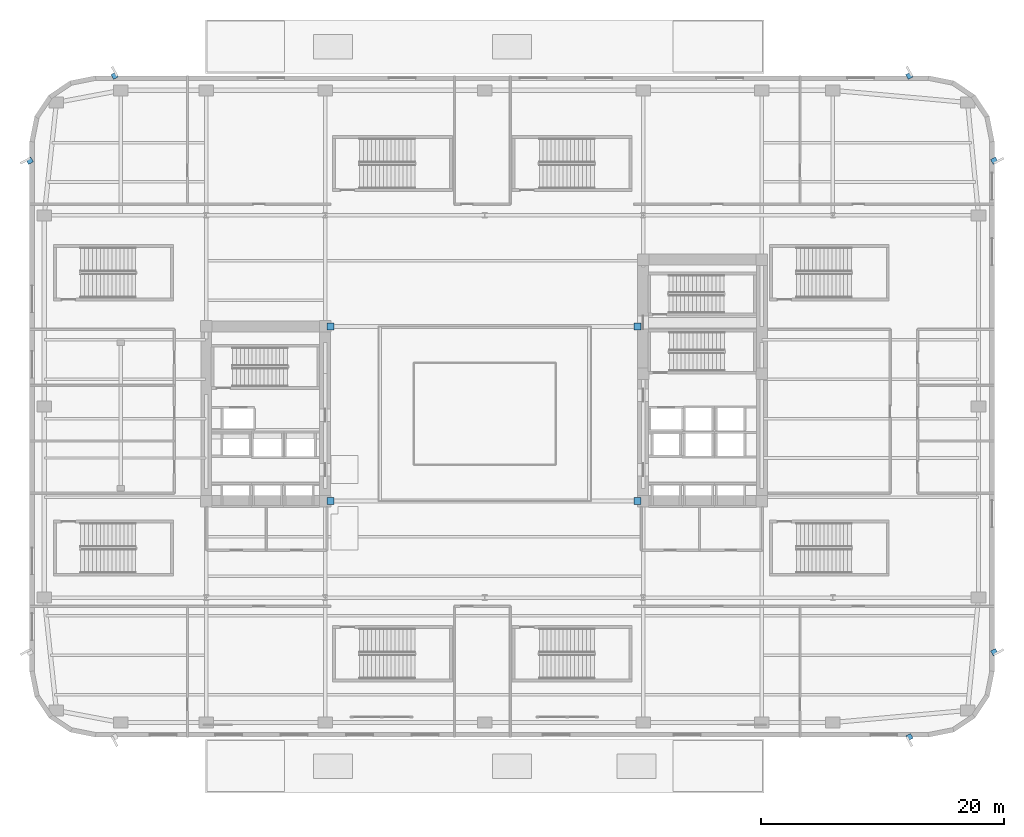
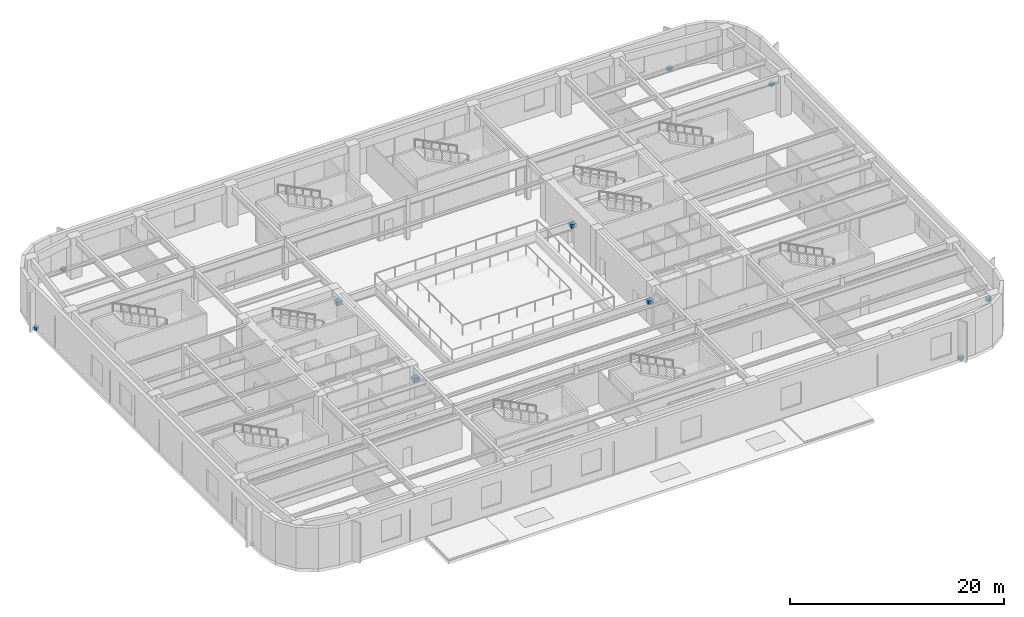
# One storey, part 12 of 24: 10 discrete accessories.
"""IFC4 building model written with IfcOpenShell, lengths in metres."""

from ifc_helpers import new_model, si_unit, direction, frame, origin, origin_2d, place, context, subcontext, project, spatial, rectangle, extrude, material, type_object, element, save


model = new_model("IFC4")

# Units and contexts
model_context = context("Model", 3, precision=1e-05, world=origin(), true_north=direction((0.0, 1.0)))
body_context = subcontext(model_context, "Body", "Model", "MODEL_VIEW")
ifc_project = project(units=[si_unit("LENGTHUNIT", "METRE"), si_unit("AREAUNIT", "SQUARE_METRE"), si_unit("VOLUMEUNIT", "CUBIC_METRE"), si_unit("PLANEANGLEUNIT", "RADIAN"), si_unit("MASSUNIT", "GRAM", prefix="KILO")], contexts=[model_context])

# Site, building, storey
site_placement = place(None, origin())
site = spatial("IfcSite", under=ifc_project, at=site_placement, CompositionType="ELEMENT")
building_placement = place(site_placement, origin())
building = spatial("IfcBuilding", under=site, at=building_placement, Name="Kolvaren Arena Tower", CompositionType="ELEMENT")
storey_placement = place(building_placement, frame((0.0, 0.0, 8.0)))
storey = spatial("IfcBuildingStorey", under=building, at=storey_placement, Name="L01", CompositionType="ELEMENT", Elevation=8.0)

# Discrete accessories
ifc_material_1 = material(Name="Stainless steel facade support bracket", Category="steel")
discrete_accessory_type_1 = type_object("IfcDiscreteAccessoryType", Name="ACC-BRKT-1", PredefinedType="BRACKET", material=ifc_material_1)
for number, where, z_axis, x_axis, name in (
    (1, (79.5, 47.5, 0.02001953125), (0.0, 0.0, 1.0), (0.882947592859, 0.469471562786, 0.0), "Arena Fin Anchor Bracket (L01)"),
    (2, (79.5, 7.0, 0.02001953125), (0.0, 0.0, 1.0), (0.882947592859, 0.469471562786, 0.0), "Arena Fin Anchor Bracket (L01)"),
    (3, (7.0, 54.5, 0.02001953125), (0.0, 0.0, 1.0), (-0.469471562786, 0.882947592859, 0.0), "Arena Fin Anchor Bracket (L01)"),
    (4, (72.5, 54.5, 0.02001953125), (0.0, 0.0, 1.0), (-0.469471562786, 0.882947592859, 0.0), "Arena Fin Anchor Bracket (L01)"),
    (5, (0.0, 47.5, 0.02001953125), (0.0, 0.0, 1.0), (-0.882947592859, -0.469471562786, 0.0), "Arena Fin Anchor Bracket (L01)"),
    (6, (72.5, 0.0, 0.02001953125), (0.0, 0.0, 1.0), (0.469471562786, -0.882947592859, 0.0), "Arena Fin Anchor Bracket (L01)"),
):
    element("IfcDiscreteAccessory", number, at=place(storey_placement, frame(where, z_axis=z_axis, x_axis=x_axis)), inside=storey, type_object=discrete_accessory_type_1, Name=name, PredefinedType="BRACKET", context=body_context, shape_type="SweptSolid", body=[
        extrude(rectangle(XDim=0.449951171875, YDim=0.449951171875, at=origin_2d()), origin(), (0.0, 0.0, 1.0), 0.300048828125),
    ])
ifc_material_2 = material(Name="Steel CSA G40.21 350W bolted gusset connection", Category="steel")
discrete_accessory_type_2 = type_object("IfcDiscreteAccessoryType", Name="ACC-CONN-1", PredefinedType="BRACKET", material=ifc_material_2)
for number, where, z_axis, x_axis, name in (
    (7, (24.800048828125, 19.449951171875, 2.464111328125), (0.0, 0.0, 1.0), (1.0, 0.0, 0.0), "Core Wall Cast-In Embed Plate EP1 (L01)"),
    (8, (50.10009765625, 19.449951171875, 2.464111328125), (0.0, 0.0, 1.0), (1.0, 0.0, 0.0), "Core Wall Cast-In Embed Plate EP1 (L01)"),
    (9, (24.800048828125, 33.85009765625, 2.464111328125), (0.0, 0.0, 1.0), (1.0, 0.0, 0.0), "Core Wall Cast-In Embed Plate EP1 (L01)"),
    (10, (50.10009765625, 33.85009765625, 2.464111328125), (0.0, 0.0, 1.0), (1.0, 0.0, 0.0), "Core Wall Cast-In Embed Plate EP1 (L01)"),
):
    element("IfcDiscreteAccessory", number, at=place(storey_placement, frame(where, z_axis=z_axis, x_axis=x_axis)), inside=storey, type_object=discrete_accessory_type_2, Name=name, PredefinedType="BRACKET", context=body_context, shape_type="SweptSolid", body=[
        extrude(rectangle(XDim=0.56005859375, YDim=0.56005859375, at=origin_2d()), origin(), (0.0, 0.0, 1.0), 0.43994140625),
    ])

save(model, "model.ifc")
